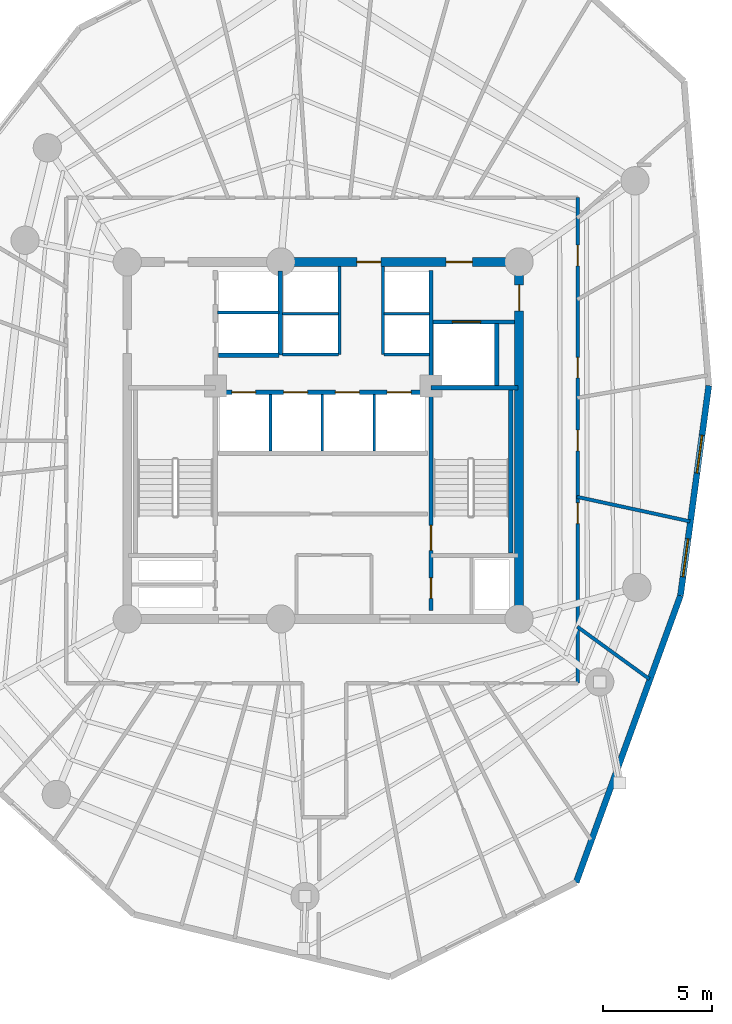
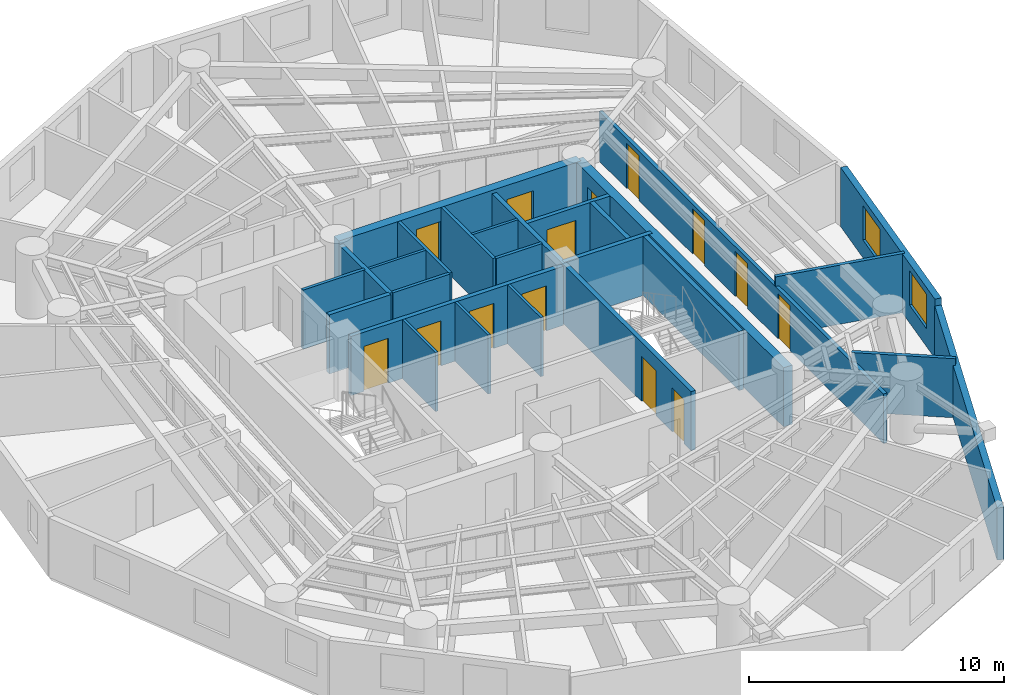
# One storey, part 5 of 8: 25 walls, 14 doors, 2 windows, 16 openings.
"""IFC4 building model written with IfcOpenShell, lengths in metres."""

from ifc_helpers import new_model, si_unit, direction, frame, frame_2d, origin, origin_with_axes, place, context, subcontext, project, spatial, rectangle, extrude, source, transform, mapped, material, layer, layer_set, type_object, element, fill, save


model = new_model("IFC4")

# Units and contexts
model_context = context("Model", 3, precision=1e-05, world=origin(), true_north=direction((0.0, 1.0)))
body_context = subcontext(model_context, "Body", "Model", "MODEL_VIEW")
ifc_project = project(units=[si_unit("LENGTHUNIT", "METRE"), si_unit("AREAUNIT", "SQUARE_METRE"), si_unit("VOLUMEUNIT", "CUBIC_METRE"), si_unit("PLANEANGLEUNIT", "RADIAN"), si_unit("MASSUNIT", "GRAM", prefix="KILO")], contexts=[model_context])

# Site, building, storey
site_placement = place(None, origin())
site = spatial("IfcSite", under=ifc_project, at=site_placement, CompositionType="ELEMENT")
building_placement = place(site_placement, origin())
building = spatial("IfcBuilding", under=site, at=building_placement, Name="Karkom Vertical University and Central Library", CompositionType="ELEMENT")
storey_placement = place(building_placement, frame((0.0, 0.0, 168.75)))
storey = spatial("IfcBuildingStorey", under=building, at=storey_placement, Name="L48", CompositionType="ELEMENT", Elevation=168.75)

# Wall
ifc_material_1 = material(Name="Brick-faced precast concrete C45/55", Category="masonry")
ifc_layer_1 = layer(ifc_material_1, 0.280029296875)
ifc_layer_set_1 = layer_set([ifc_layer_1], Name="Brick-faced precast concrete C45/55")
wall_type_1 = type_object("IfcWallType", Name="ENV-WL-BRK-280", PredefinedType="SOLIDWALL", material=ifc_layer_set_1)
wall_1_placement = place(storey_placement, frame((40.12158203125, 6.19677734375, 0.0), z_axis=(0.0, 0.0, 1.0), x_axis=(0.341766826374, 0.939784781953, 0.0)))
element("IfcWall", 1, at=wall_1_placement, inside=storey, type_object=wall_type_1, Name="Level 48 Brick-Faced Precast Facade Wall 06", PredefinedType="SOLIDWALL", context=body_context, shape_type="SweptSolid", body=[
    extrude(rectangle(XDim=14.0234375, YDim=0.280029296875, at=frame_2d((7.01171875, 0.0))), origin(), (0.0, 0.0, 1.0), 2.4951171875),
])

# Wall, openings, windows
wall_2_placement = place(storey_placement, frame((44.914306640625, 19.375732421875, 0.0), z_axis=(0.0, 0.0, 1.0), x_axis=(0.133638943634, 0.9910300867, 0.0)))
wall_2 = element("IfcWall", 2, at=wall_2_placement, inside=storey, type_object=wall_type_1, Name="Level 48 Brick-Faced Precast Facade Wall 07", PredefinedType="SOLIDWALL", context=body_context, shape_type="SweptSolid", body=[
    extrude(rectangle(XDim=9.733642578125, YDim=0.280029296875, at=frame_2d((4.86669921875, 0.0))), origin(), (0.0, 0.0, 1.0), 2.824951171875),
])
opening_1_placement = place(wall_2_placement, frame((0.873779296875, 0.0, 0.85009765625)))
opening_1 = element("IfcOpeningElement", 3, at=opening_1_placement, cuts=wall_2, Name="Opening WN-08", PredefinedType="OPENING", context=body_context, shape_type="SweptSolid", body=[
    extrude(rectangle(XDim=1.75, YDim=1.64990234375, at=frame_2d((0.875, 0.824951171875))), frame((0.0, 0.14990234375, 0.0), z_axis=(0.0, -1.0, 0.0), x_axis=(1.0, 0.0, 0.0)), (0.0, 0.0, 1.0), 0.300048828125),
])
opening_2_placement = place(wall_2_placement, frame((5.680419921875, 0.0, 0.85009765625)))
opening_2 = element("IfcOpeningElement", 4, at=opening_2_placement, cuts=wall_2, Name="Opening WN-08", PredefinedType="OPENING", context=body_context, shape_type="SweptSolid", body=[
    extrude(rectangle(XDim=1.75, YDim=1.64990234375, at=frame_2d((0.875, 0.824951171875))), frame((0.0, 0.14990234375, 0.0), z_axis=(0.0, -1.0, 0.0), x_axis=(1.0, 0.0, 0.0)), (0.0, 0.0, 1.0), 0.300048828125),
])
ifc_material_2 = material(Name="Aluminium thermal-break frame with solar-control IGU", Category="aluminium")
window_type = type_object("IfcWindowType", Name="ENV-WIN-WN-08", PartitioningType="SINGLE_PANEL", PredefinedType="WINDOW", material=ifc_material_2)
shared_shape_1 = source(origin_with_axes(), body_context, "Body", "SweptSolid", [
    extrude(rectangle(XDim=1.75, YDim=1.64990234375, at=frame_2d((0.875, 0.824951171875))), frame((0.0, 0.030029296875, 0.0), z_axis=(0.0, -1.0, 0.0), x_axis=(1.0, 0.0, 0.0)), (0.0, 0.0, 1.0), 0.06005859375),
])
window_1_placement = place(opening_1_placement, origin())
window_1 = element("IfcWindow", 5, at=window_1_placement, inside=storey, type_object=window_type, Name="Level 48 Punched Window 7.1", OverallHeight=1.64990234375, OverallWidth=1.75, PartitioningType="SINGLE_PANEL", PredefinedType="WINDOW", context=body_context, shape_type="MappedRepresentation", body=[
    mapped(shared_shape_1, transform((0.0, 0.0, 0.0), scale=1.0)),
])
fill(opening_1, window_1)
window_2_placement = place(opening_2_placement, origin())
window_2 = element("IfcWindow", 6, at=window_2_placement, inside=storey, type_object=window_type, Name="Level 48 Punched Window 7.2", OverallHeight=1.64990234375, OverallWidth=1.75, PartitioningType="SINGLE_PANEL", PredefinedType="WINDOW", context=body_context, shape_type="MappedRepresentation", body=[
    mapped(shared_shape_1, transform((0.0, 0.0, 0.0), scale=1.0)),
])
fill(opening_2, window_2)

# Wall, openings, doors
ifc_material_3 = material(Name="Insulated metal-stud drywall 160mm", Category="gypsum")
ifc_layer_2 = layer(ifc_material_3, 0.159912109375)
ifc_layer_set_2 = layer_set([ifc_layer_2], Name="Insulated metal-stud drywall 160mm")
wall_type_2 = type_object("IfcWallType", Name="INT-WL-COR-160", PredefinedType="PARTITIONING", material=ifc_layer_set_2)
wall_3_placement = place(storey_placement, frame((40.199951171875, 37.64990234375, 0.0), z_axis=(0.0, 0.0, 1.0), x_axis=(0.0, -1.0, 0.0)))
wall_3 = element("IfcWall", 7, at=wall_3_placement, inside=storey, type_object=wall_type_2, Name="Level 48 Interior Partition Wall L48-CORW-CW-004", PredefinedType="PARTITIONING", context=body_context, shape_type="SweptSolid", body=[
    extrude(rectangle(XDim=22.2998046875, YDim=0.159912109375, at=frame_2d((11.14990234375, 0.0))), origin(), (0.0, 0.0, 1.0), 2.375),
])
opening_3_placement = place(wall_3_placement, frame((14.02001953125, 0.0, 0.0)))
opening_3 = element("IfcOpeningElement", 8, at=opening_3_placement, cuts=wall_3, Name="Opening D-RM1", PredefinedType="OPENING", context=body_context, shape_type="SweptSolid", body=[
    extrude(rectangle(XDim=0.949951171875, YDim=2.14990234375, at=frame_2d((0.47509765625, 1.074951171875))), frame((0.0, 0.08984375, 0.0), z_axis=(0.0, -1.0, 0.0), x_axis=(1.0, 0.0, 0.0)), (0.0, 0.0, 1.0), 0.179931640625),
])
opening_4_placement = place(wall_3_placement, frame((10.675048828125, 0.0, 0.0)))
opening_4 = element("IfcOpeningElement", 9, at=opening_4_placement, cuts=wall_3, Name="Opening D-RM1", PredefinedType="OPENING", context=body_context, shape_type="SweptSolid", body=[
    extrude(rectangle(XDim=0.949951171875, YDim=2.14990234375, at=frame_2d((0.47509765625, 1.074951171875))), frame((0.0, 0.08984375, 0.0), z_axis=(0.0, -1.0, 0.0), x_axis=(1.0, 0.0, 0.0)), (0.0, 0.0, 1.0), 0.179931640625),
])
opening_5_placement = place(wall_3_placement, frame((7.330078125, 0.0, 0.0)))
opening_5 = element("IfcOpeningElement", 10, at=opening_5_placement, cuts=wall_3, Name="Opening D-RM1", PredefinedType="OPENING", context=body_context, shape_type="SweptSolid", body=[
    extrude(rectangle(XDim=0.949951171875, YDim=2.14990234375, at=frame_2d((0.47509765625, 1.074951171875))), frame((0.0, 0.08984375, 0.0), z_axis=(0.0, -1.0, 0.0), x_axis=(1.0, 0.0, 0.0)), (0.0, 0.0, 1.0), 0.179931640625),
])
opening_6_placement = place(wall_3_placement, frame((2.181396484375, 0.0, 0.0)))
opening_6 = element("IfcOpeningElement", 11, at=opening_6_placement, cuts=wall_3, Name="Opening D-RM1", PredefinedType="OPENING", context=body_context, shape_type="SweptSolid", body=[
    extrude(rectangle(XDim=0.949951171875, YDim=2.14990234375, at=frame_2d((0.47509765625, 1.074951171875))), frame((0.0, 0.08984375, 0.0), z_axis=(0.0, -1.0, 0.0), x_axis=(1.0, 0.0, 0.0)), (0.0, 0.0, 1.0), 0.179931640625),
])
ifc_material_4 = material(Name="Solid-core oak veneer door", Category="wood")
door_type_1 = type_object("IfcDoorType", Name="INT-DR-RM1", OperationType="NOTDEFINED", PredefinedType="DOOR", material=ifc_material_4)
shared_shape_2 = source(origin_with_axes(), body_context, "Body", "SweptSolid", [
    extrude(rectangle(XDim=0.949951171875, YDim=2.14990234375, at=frame_2d((0.47509765625, 1.074951171875))), frame((0.0, 0.02490234375, 0.0), z_axis=(0.0, -1.0, 0.0), x_axis=(1.0, 0.0, 0.0)), (0.0, 0.0, 1.0), 0.050048828125),
])
door_1_placement = place(opening_3_placement, origin())
door_1 = element("IfcDoor", 12, at=door_1_placement, inside=storey, type_object=door_type_1, Name="Level 48 Room Entry Door 130", OperationType="SINGLE_SWING_LEFT", OverallHeight=2.14990234375, OverallWidth=0.949951171875, PredefinedType="DOOR", context=body_context, shape_type="MappedRepresentation", body=[
    mapped(shared_shape_2, transform((0.0, 0.0, 0.0), scale=1.0)),
])
fill(opening_3, door_1)
door_2_placement = place(opening_4_placement, origin())
door_2 = element("IfcDoor", 13, at=door_2_placement, inside=storey, type_object=door_type_1, Name="Level 48 Room Entry Door 140", OperationType="SINGLE_SWING_RIGHT", OverallHeight=2.14990234375, OverallWidth=0.949951171875, PredefinedType="DOOR", context=body_context, shape_type="MappedRepresentation", body=[
    mapped(shared_shape_2, transform((0.0, 0.0, 0.0), scale=1.0)),
])
fill(opening_4, door_2)
door_3_placement = place(opening_5_placement, origin())
door_3 = element("IfcDoor", 14, at=door_3_placement, inside=storey, type_object=door_type_1, Name="Level 48 Room Entry Door 150", OperationType="SINGLE_SWING_LEFT", OverallHeight=2.14990234375, OverallWidth=0.949951171875, PredefinedType="DOOR", context=body_context, shape_type="MappedRepresentation", body=[
    mapped(shared_shape_2, transform((0.0, 0.0, 0.0), scale=1.0)),
])
fill(opening_5, door_3)
door_4_placement = place(opening_6_placement, origin())
door_4 = element("IfcDoor", 15, at=door_4_placement, inside=storey, type_object=door_type_1, Name="Level 48 Room Entry Door 160", OperationType="SINGLE_SWING_RIGHT", OverallHeight=2.14990234375, OverallWidth=0.949951171875, PredefinedType="DOOR", context=body_context, shape_type="MappedRepresentation", body=[
    mapped(shared_shape_2, transform((0.0, 0.0, 0.0), scale=1.0)),
])
fill(opening_6, door_4)

# Walls
wall_4_placement = place(storey_placement, frame((40.156005859375, 23.909423828125, 0.0), z_axis=(0.0, 0.0, 1.0), x_axis=(0.977257161184, -0.212057635832, 0.0)))
element("IfcWall", 16, at=wall_4_placement, inside=storey, type_object=wall_type_2, Name="Level 48 Interior Partition Wall L48-PW-016", PredefinedType="PARTITIONING", context=body_context, shape_type="SweptSolid", body=[
    extrude(rectangle(XDim=5.313232421875, YDim=0.159912109375, at=frame_2d((2.65673828125, 0.0))), origin(), (0.0, 0.0, 1.0), 2.824951171875),
])
wall_5_placement = place(storey_placement, frame((40.17578125, 17.94287109375, 0.0), z_axis=(0.0, 0.0, 1.0), x_axis=(0.809001558412, -0.587806497486, 0.0)))
element("IfcWall", 17, at=wall_5_placement, inside=storey, type_object=wall_type_2, Name="Level 48 Interior Partition Wall L48-PW-015", PredefinedType="PARTITIONING", context=body_context, shape_type="SweptSolid", body=[
    extrude(rectangle(XDim=4.094970703125, YDim=0.159912109375, at=frame_2d((2.04736328125, 0.0))), origin(), (0.0, 0.0, 1.0), 2.824951171875),
])
ifc_material_5 = material(Name="Moisture-resistant drywall 120mm", Category="gypsum")
ifc_layer_3 = layer(ifc_material_5, 0.1201171875)
ifc_layer_set_3 = layer_set([ifc_layer_3], Name="Moisture-resistant drywall 120mm")
wall_type_3 = type_object("IfcWallType", Name="INT-WL-INT-120H", PredefinedType="PARTITIONING", material=ifc_layer_set_3)
for number, where, z_axis, x_axis, name in (
    (18, (26.080078125, 26.02001953125, 0.0), (0.0, 0.0, 1.0), (0.0, 1.0, 0.0), "Level 48 Interior Partition Wall L48-CW-PM-DIV1"),
    (19, (28.4599609375, 26.02001953125, 0.0), (0.0, 0.0, 1.0), (0.0, 1.0, 0.0), "Level 48 Interior Partition Wall L48-CW-PM-DIV2"),
    (20, (30.840087890625, 26.02001953125, 0.0), (0.0, 0.0, 1.0), (0.0, 1.0, 0.0), "Level 48 Interior Partition Wall L48-CW-PM-DIV3"),
):
    element("IfcWall", number, at=place(storey_placement, frame(where, z_axis=z_axis, x_axis=x_axis)), inside=storey, type_object=wall_type_3, Name=name, PredefinedType="PARTITIONING", context=body_context, shape_type="SweptSolid", body=[
        extrude(rectangle(XDim=2.60009765625, YDim=0.1201171875, at=frame_2d((1.300048828125, 0.0))), origin(), (0.0, 0.0, 1.0), 2.824951171875),
    ])
wall_6_placement = place(storey_placement, frame((26.6201171875, 32.320068359375, 0.0), z_axis=(0.0, 0.0, 1.0), x_axis=(1.0, 0.0, 0.0)))
element("IfcWall", 21, at=wall_6_placement, inside=storey, type_object=wall_type_3, Name="Level 48 Interior Partition Wall L48-CW-PH-MW", PredefinedType="PARTITIONING", context=body_context, shape_type="SweptSolid", body=[
    extrude(rectangle(XDim=2.579833984375, YDim=0.1201171875, at=frame_2d((1.2900390625, 0.0))), origin(), (0.0, 0.0, 1.0), 2.824951171875),
])
wall_7_placement = place(storey_placement, frame((31.300048828125, 32.320068359375, 0.0), z_axis=(0.0, 0.0, 1.0), x_axis=(1.0, 0.0, 0.0)))
element("IfcWall", 22, at=wall_7_placement, inside=storey, type_object=wall_type_3, Name="Level 48 Interior Partition Wall L48-CW-PH-ME", PredefinedType="PARTITIONING", context=body_context, shape_type="SweptSolid", body=[
    extrude(rectangle(XDim=2.074951171875, YDim=0.1201171875, at=frame_2d((1.03759765625, 0.0))), origin(), (0.0, 0.0, 1.0), 2.824951171875),
])
ifc_material_6 = material(Name="Metal-stud gypsum partition 140mm", Category="gypsum")
ifc_layer_4 = layer(ifc_material_6, 0.139892578125)
ifc_layer_set_4 = layer_set([ifc_layer_4], Name="Metal-stud gypsum partition 140mm")
wall_type_4 = type_object("IfcWallType", Name="INT-WL-SUB-140H", PredefinedType="PARTITIONING", material=ifc_layer_set_4)
for number, where, z_axis, x_axis, name in (
    (23, (29.260009765625, 30.449951171875, 0.0), (0.0, 0.0, 1.0), (0.0, 1.0, 0.0), "Level 48 Interior Partition Wall L48-CW-PH-W"),
    (24, (31.239990234375, 30.449951171875, 0.0), (0.0, 0.0, 1.0), (0.0, 1.0, 0.0), "Level 48 Interior Partition Wall L48-CW-PH-E"),
):
    element("IfcWall", number, at=place(storey_placement, frame(where, z_axis=z_axis, x_axis=x_axis)), inside=storey, type_object=wall_type_4, Name=name, PredefinedType="PARTITIONING", context=body_context, shape_type="SweptSolid", body=[
        extrude(rectangle(XDim=4.04296875, YDim=0.139892578125, at=frame_2d((2.021484375, 0.0))), origin(), (0.0, 0.0, 1.0), 2.824951171875),
    ])
wall_8_placement = place(storey_placement, frame((26.6201171875, 30.449951171875, 0.0), z_axis=(0.0, 0.0, 1.0), x_axis=(1.0, 0.0, 0.0)))
element("IfcWall", 25, at=wall_8_placement, inside=storey, type_object=wall_type_4, Name="Level 48 Interior Partition Wall L48-CW-PH-S1", PredefinedType="PARTITIONING", context=body_context, shape_type="SweptSolid", body=[
    extrude(rectangle(XDim=2.579833984375, YDim=0.139892578125, at=frame_2d((1.2900390625, 0.0))), origin(), (0.0, 0.0, 1.0), 2.824951171875),
])
wall_9_placement = place(storey_placement, frame((31.300048828125, 30.449951171875, 0.0), z_axis=(0.0, 0.0, 1.0), x_axis=(1.0, 0.0, 0.0)))
element("IfcWall", 26, at=wall_9_placement, inside=storey, type_object=wall_type_4, Name="Level 48 Interior Partition Wall L48-CW-PH-S2", PredefinedType="PARTITIONING", context=body_context, shape_type="SweptSolid", body=[
    extrude(rectangle(XDim=2.074951171875, YDim=0.139892578125, at=frame_2d((1.03759765625, 0.0))), origin(), (0.0, 0.0, 1.0), 2.824951171875),
])
ifc_layer_5 = layer(ifc_material_6, 0.139892578125)
ifc_layer_set_5 = layer_set([ifc_layer_5], Name="Metal-stud gypsum partition 140mm")
wall_type_5 = type_object("IfcWallType", Name="INT-WL-SUB-140X", PredefinedType="PARTITIONING", material=ifc_layer_set_5)
wall_10_placement = place(storey_placement, frame((23.652099609375, 32.3701171875, 0.0), z_axis=(0.0, 0.0, 1.0), x_axis=(1.0, 0.0, 0.0)))
element("IfcWall", 27, at=wall_10_placement, inside=storey, type_object=wall_type_5, Name="Level 48 Interior Partition Wall L48-CW-FFL-M", PredefinedType="PARTITIONING", context=body_context, shape_type="SweptSolid", body=[
    extrude(rectangle(XDim=2.827880859375, YDim=0.139892578125, at=frame_2d((1.4140625, 0.0))), origin(), (0.0, 0.0, 1.0), 2.824951171875),
])

# Wall, opening, door
ifc_material_7 = material(Name="Twin-stud acoustic drywall 180mm", Category="gypsum")
ifc_layer_6 = layer(ifc_material_7, 0.179931640625)
ifc_layer_set_6 = layer_set([ifc_layer_6], Name="Twin-stud acoustic drywall 180mm")
wall_type_6 = type_object("IfcWallType", Name="INT-WL-TEN-180F", PredefinedType="PARTITIONING", material=ifc_layer_set_6)
wall_11_placement = place(storey_placement, frame((33.534912109375, 31.949951171875, 0.0), z_axis=(0.0, 0.0, 1.0), x_axis=(1.0, 0.0, 0.0)))
wall_11 = element("IfcWall", 28, at=wall_11_placement, inside=storey, type_object=wall_type_6, Name="Level 48 Interior Partition Wall L48-CW-SVL-N", PredefinedType="PARTITIONING", context=body_context, shape_type="SweptSolid", body=[
    extrude(rectangle(XDim=3.7587890625, YDim=0.179931640625, at=frame_2d((1.87939453125, 0.0))), origin(), (0.0, 0.0, 1.0), 2.824951171875),
])
opening_7_placement = place(wall_11_placement, frame((0.89990234375, 0.0, 0.0)))
opening_7 = element("IfcOpeningElement", 29, at=opening_7_placement, cuts=wall_11, Name="Opening LD-SV1", PredefinedType="OPENING", context=body_context, shape_type="SweptSolid", body=[
    extrude(rectangle(XDim=1.300048828125, YDim=2.199951171875, at=frame_2d((0.64990234375, 1.10009765625))), frame((0.0, 0.10009765625, 0.0), z_axis=(0.0, -1.0, 0.0), x_axis=(1.0, 0.0, 0.0)), (0.0, 0.0, 1.0), 0.199951171875),
])
ifc_material_8 = material(Name="Brushed stainless-steel landing door", Category="steel")
door_type_2 = type_object("IfcDoorType", Name="INT-DR-LD-SV1", OperationType="SLIDING_TO_LEFT", PredefinedType="DOOR", material=ifc_material_8)
shared_shape_3 = source(origin_with_axes(), body_context, "Body", "SweptSolid", [
    extrude(rectangle(XDim=1.300048828125, YDim=2.199951171875, at=frame_2d((0.64990234375, 1.10009765625))), frame((0.0, 0.02490234375, 0.0), z_axis=(0.0, -1.0, 0.0), x_axis=(1.0, 0.0, 0.0)), (0.0, 0.0, 1.0), 0.050048828125),
])
door_5_placement = place(opening_7_placement, origin())
door_5 = element("IfcDoor", 30, at=door_5_placement, inside=storey, type_object=door_type_2, Name="Level 48 Service Lift Landing Door LD-SV1", OperationType="SLIDING_TO_LEFT", OverallHeight=2.199951171875, OverallWidth=1.300048828125, PredefinedType="DOOR", context=body_context, shape_type="MappedRepresentation", body=[
    mapped(shared_shape_3, transform((0.0, 0.0, 0.0), scale=1.0)),
])
fill(opening_7, door_5)

ifc_material_9 = material(Name="Concrete C50/60", Category="concrete")
ifc_layer_7 = layer(ifc_material_9, 0.39990234375)
ifc_layer_set_7 = layer_set([ifc_layer_7], Name="Concrete C50/60")
wall_type_7 = type_object("IfcWallType", Name="STR-WL-CW-400", PredefinedType="SHEAR", material=ifc_layer_set_7)
wall_12_placement = place(storey_placement, frame((37.5, 18.300048828125, 0.0), z_axis=(0.0, 0.0, 1.0), x_axis=(0.0, 1.0, 0.0)))
wall_12 = element("IfcWall", 31, at=wall_12_placement, inside=storey, type_object=wall_type_7, Name="Level 48 Central Core Shear Wall EW", PredefinedType="SHEAR", context=body_context, shape_type="SweptSolid", body=[
    extrude(rectangle(XDim=16.39990234375, YDim=0.39990234375, at=frame_2d((8.199951171875, 0.0))), origin(), (0.0, 0.0, 1.0), 2.824951171875),
])
opening_8_placement = place(wall_12_placement, frame((14.14990234375, 0.0, 0.0)))
opening_8 = element("IfcOpeningElement", 32, at=opening_8_placement, cuts=wall_12, Name="Opening FD-SUB1", PredefinedType="OPENING", context=body_context, shape_type="SweptSolid", body=[
    extrude(rectangle(XDim=1.199951171875, YDim=2.14990234375, at=frame_2d((0.60009765625, 1.074951171875))), frame((0.0, 0.2099609375, 0.0), z_axis=(0.0, -1.0, 0.0), x_axis=(1.0, 0.0, 0.0)), (0.0, 0.0, 1.0), 0.419921875),
])
ifc_material_10 = material(Name="Painted steel fire door", Category="steel")
door_type_3 = type_object("IfcDoorType", Name="INT-DR-SUB1", OperationType="NOTDEFINED", PredefinedType="DOOR", material=ifc_material_10)
shared_shape_4 = source(origin_with_axes(), body_context, "Body", "SweptSolid", [
    extrude(rectangle(XDim=1.199951171875, YDim=2.14990234375, at=frame_2d((0.60009765625, 1.074951171875))), frame((0.0, 0.02490234375, 0.0), z_axis=(0.0, -1.0, 0.0), x_axis=(1.0, 0.0, 0.0)), (0.0, 0.0, 1.0), 0.050048828125),
])
door_6_placement = place(opening_8_placement, origin())
door_6 = element("IfcDoor", 33, at=door_6_placement, inside=storey, type_object=door_type_3, Name="Level 48 East Corridor Service Lobby Door", OperationType="SINGLE_SWING_LEFT", OverallHeight=2.14990234375, OverallWidth=1.199951171875, PredefinedType="DOOR", context=body_context, shape_type="MappedRepresentation", body=[
    mapped(shared_shape_4, transform((0.0, 0.0, 0.0), scale=1.0)),
])
fill(opening_8, door_6)

# Wall, openings, doors
wall_13_placement = place(storey_placement, frame((37.5, 34.699951171875, 0.0), z_axis=(0.0, 0.0, 1.0), x_axis=(-1.0, 0.0, 0.0)))
wall_13 = element("IfcWall", 34, at=wall_13_placement, inside=storey, type_object=wall_type_7, Name="Level 48 Central Core Shear Wall NW1", PredefinedType="SHEAR", context=body_context, shape_type="SweptSolid", body=[
    extrude(rectangle(XDim=10.949951171875, YDim=0.39990234375, at=frame_2d((5.47509765625, 0.0))), origin(), (0.0, 0.0, 1.0), 2.824951171875),
])
opening_9_placement = place(wall_13_placement, frame((2.14990234375, 0.0, 0.0)))
opening_9 = element("IfcOpeningElement", 35, at=opening_9_placement, cuts=wall_13, Name="Opening FD-SUB1", PredefinedType="OPENING", context=body_context, shape_type="SweptSolid", body=[
    extrude(rectangle(XDim=1.199951171875, YDim=2.14990234375, at=frame_2d((0.60009765625, 1.074951171875))), frame((0.0, 0.2099609375, 0.0), z_axis=(0.0, -1.0, 0.0), x_axis=(1.0, 0.0, 0.0)), (0.0, 0.0, 1.0), 0.419921875),
])
opening_10_placement = place(wall_13_placement, frame((6.35009765625, 0.0, 0.0)))
opening_10 = element("IfcOpeningElement", 36, at=opening_10_placement, cuts=wall_13, Name="Opening FD-FFL", PredefinedType="OPENING", context=body_context, shape_type="SweptSolid", body=[
    extrude(rectangle(XDim=1.10009765625, YDim=2.14990234375, at=frame_2d((0.550048828125, 1.074951171875))), frame((0.0, 0.2099609375, 0.0), z_axis=(0.0, -1.0, 0.0), x_axis=(1.0, 0.0, 0.0)), (0.0, 0.0, 1.0), 0.419921875),
])
ifc_material_11 = material(Name="Painted steel smoke-seal fire door", Category="steel")
door_type_4 = type_object("IfcDoorType", Name="INT-DR-FFL", OperationType="NOTDEFINED", PredefinedType="DOOR", material=ifc_material_11)
shared_shape_5 = source(origin_with_axes(), body_context, "Body", "SweptSolid", [
    extrude(rectangle(XDim=1.10009765625, YDim=2.14990234375, at=frame_2d((0.550048828125, 1.074951171875))), frame((0.0, 0.02490234375, 0.0), z_axis=(0.0, -1.0, 0.0), x_axis=(1.0, 0.0, 0.0)), (0.0, 0.0, 1.0), 0.050048828125),
])
door_7_placement = place(opening_10_placement, origin())
door_7 = element("IfcDoor", 37, at=door_7_placement, inside=storey, type_object=door_type_4, Name="Level 48 North Core Lobby Exit Door", OperationType="SINGLE_SWING_RIGHT", OverallHeight=2.14990234375, OverallWidth=1.10009765625, PredefinedType="DOOR", context=body_context, shape_type="MappedRepresentation", body=[
    mapped(shared_shape_5, transform((0.0, 0.0, 0.0), scale=1.0)),
])
fill(opening_10, door_7)
door_8_placement = place(opening_9_placement, origin())
door_8 = element("IfcDoor", 38, at=door_8_placement, inside=storey, type_object=door_type_3, Name="Level 48 Service Lobby Fire Door", OperationType="SINGLE_SWING_RIGHT", OverallHeight=2.14990234375, OverallWidth=1.199951171875, PredefinedType="DOOR", context=body_context, shape_type="MappedRepresentation", body=[
    mapped(shared_shape_4, transform((0.0, 0.0, 0.0), scale=1.0)),
])
fill(opening_9, door_8)

ifc_material_12 = material(Name="Concrete C45/55", Category="concrete")
ifc_layer_8 = layer(ifc_material_12, 0.199951171875)
ifc_layer_set_8 = layer_set([ifc_layer_8], Name="Concrete C45/55")
wall_type_8 = type_object("IfcWallType", Name="STR-WL-ST-200", PredefinedType="SHEAR", material=ifc_layer_set_8)
wall_14_placement = place(storey_placement, frame((33.455078125, 18.699951171875, 0.0), z_axis=(0.0, 0.0, 1.0), x_axis=(0.0, 1.0, 0.0)))
wall_14 = element("IfcWall", 39, at=wall_14_placement, inside=storey, type_object=wall_type_8, Name="Level 48 Core Shaft Wall L48-CW-ST2-W", PredefinedType="SHEAR", context=body_context, shape_type="SweptSolid", body=[
    extrude(rectangle(XDim=15.60009765625, YDim=0.199951171875, at=frame_2d((7.800048828125, 0.0))), origin(), (0.0, 0.0, 1.0), 2.824951171875),
])
opening_11_placement = place(wall_14_placement, frame((2.75, 0.0, 0.0)))
opening_11 = element("IfcOpeningElement", 40, at=opening_11_placement, cuts=wall_14, Name="Opening FD-ST1", PredefinedType="OPENING", context=body_context, shape_type="SweptSolid", body=[
    extrude(rectangle(XDim=1.14990234375, YDim=2.14990234375, at=frame_2d((0.574951171875, 1.074951171875))), frame((0.0, 0.10986328125, 0.0), z_axis=(0.0, -1.0, 0.0), x_axis=(1.0, 0.0, 0.0)), (0.0, 0.0, 1.0), 0.219970703125),
])
opening_12_placement = place(wall_14_placement, frame((0.550048828125, 0.0, 0.0)))
opening_12 = element("IfcOpeningElement", 41, at=opening_12_placement, cuts=wall_14, Name="Opening D-WC1", PredefinedType="OPENING", context=body_context, shape_type="SweptSolid", body=[
    extrude(rectangle(XDim=0.93994140625, YDim=2.10009765625, at=frame_2d((0.469970703125, 1.050048828125))), frame((0.0, 0.10986328125, 0.0), z_axis=(0.0, -1.0, 0.0), x_axis=(1.0, 0.0, 0.0)), (0.0, 0.0, 1.0), 0.219970703125),
])
ifc_material_13 = material(Name="Painted steel acoustic fire door", Category="steel")
door_type_5 = type_object("IfcDoorType", Name="INT-DR-ST1", OperationType="NOTDEFINED", PredefinedType="DOOR", material=ifc_material_13)
shared_shape_6 = source(origin_with_axes(), body_context, "Body", "SweptSolid", [
    extrude(rectangle(XDim=1.14990234375, YDim=2.14990234375, at=frame_2d((0.574951171875, 1.074951171875))), frame((0.0, 0.02490234375, 0.0), z_axis=(0.0, -1.0, 0.0), x_axis=(1.0, 0.0, 0.0)), (0.0, 0.0, 1.0), 0.050048828125),
])
door_9_placement = place(opening_11_placement, origin())
door_9 = element("IfcDoor", 42, at=door_9_placement, inside=storey, type_object=door_type_5, Name="Level 48 Stair ST-2 Fire Door", OperationType="SINGLE_SWING_RIGHT", OverallHeight=2.14990234375, OverallWidth=1.14990234375, PredefinedType="DOOR", context=body_context, shape_type="MappedRepresentation", body=[
    mapped(shared_shape_6, transform((0.0, 0.0, 0.0), scale=1.0)),
])
fill(opening_11, door_9)
ifc_material_14 = material(Name="Fire-rated laminate moisture-resistant door", Category="wood")
door_type_6 = type_object("IfcDoorType", Name="INT-DR-WC1", OperationType="NOTDEFINED", PredefinedType="DOOR", material=ifc_material_14)
shared_shape_7 = source(origin_with_axes(), body_context, "Body", "SweptSolid", [
    extrude(rectangle(XDim=0.93994140625, YDim=2.10009765625, at=frame_2d((0.469970703125, 1.050048828125))), frame((0.0, 0.02490234375, 0.0), z_axis=(0.0, -1.0, 0.0), x_axis=(1.0, 0.0, 0.0)), (0.0, 0.0, 1.0), 0.050048828125),
])
door_10_placement = place(opening_12_placement, origin())
door_10 = element("IfcDoor", 43, at=door_10_placement, inside=storey, type_object=door_type_6, Name="Level 48 Accessible WC Door", OperationType="SINGLE_SWING_LEFT", OverallHeight=2.10009765625, OverallWidth=0.93994140625, PredefinedType="DOOR", context=body_context, shape_type="MappedRepresentation", body=[
    mapped(shared_shape_7, transform((0.0, 0.0, 0.0), scale=1.0)),
])
fill(opening_12, door_10)

wall_15_placement = place(storey_placement, frame((23.699951171875, 28.719970703125, 0.0), z_axis=(0.0, 0.0, 1.0), x_axis=(1.0, 0.0, 0.0)))
wall_15 = element("IfcWall", 44, at=wall_15_placement, inside=storey, type_object=wall_type_8, Name="Level 48 Core Shaft Wall L48-CW-B2-N", PredefinedType="SHEAR", context=body_context, shape_type="SweptSolid", body=[
    extrude(rectangle(XDim=9.60009765625, YDim=0.199951171875, at=frame_2d((4.800048828125, 0.0))), origin(), (0.0, 0.0, 1.0), 2.824951171875),
])
opening_13_placement = place(wall_15_placement, frame((0.60009765625, 0.0, 0.0)))
opening_13 = element("IfcOpeningElement", 45, at=opening_13_placement, cuts=wall_15, Name="Opening LD-PAX", PredefinedType="OPENING", context=body_context, shape_type="SweptSolid", body=[
    extrude(rectangle(XDim=1.10009765625, YDim=2.14990234375, at=frame_2d((0.550048828125, 1.074951171875))), frame((0.0, 0.10986328125, 0.0), z_axis=(0.0, -1.0, 0.0), x_axis=(1.0, 0.0, 0.0)), (0.0, 0.0, 1.0), 0.219970703125),
])
opening_14_placement = place(wall_15_placement, frame((2.97998046875, 0.0, 0.0)))
opening_14 = element("IfcOpeningElement", 46, at=opening_14_placement, cuts=wall_15, Name="Opening LD-PAX", PredefinedType="OPENING", context=body_context, shape_type="SweptSolid", body=[
    extrude(rectangle(XDim=1.10009765625, YDim=2.14990234375, at=frame_2d((0.550048828125, 1.074951171875))), frame((0.0, 0.10986328125, 0.0), z_axis=(0.0, -1.0, 0.0), x_axis=(1.0, 0.0, 0.0)), (0.0, 0.0, 1.0), 0.219970703125),
])
opening_15_placement = place(wall_15_placement, frame((5.360107421875, 0.0, 0.0)))
opening_15 = element("IfcOpeningElement", 47, at=opening_15_placement, cuts=wall_15, Name="Opening LD-PAX", PredefinedType="OPENING", context=body_context, shape_type="SweptSolid", body=[
    extrude(rectangle(XDim=1.10009765625, YDim=2.14990234375, at=frame_2d((0.550048828125, 1.074951171875))), frame((0.0, 0.10986328125, 0.0), z_axis=(0.0, -1.0, 0.0), x_axis=(1.0, 0.0, 0.0)), (0.0, 0.0, 1.0), 0.219970703125),
])
opening_16_placement = place(wall_15_placement, frame((7.739990234375, 0.0, 0.0)))
opening_16 = element("IfcOpeningElement", 48, at=opening_16_placement, cuts=wall_15, Name="Opening LD-PAX", PredefinedType="OPENING", context=body_context, shape_type="SweptSolid", body=[
    extrude(rectangle(XDim=1.10009765625, YDim=2.14990234375, at=frame_2d((0.550048828125, 1.074951171875))), frame((0.0, 0.10986328125, 0.0), z_axis=(0.0, -1.0, 0.0), x_axis=(1.0, 0.0, 0.0)), (0.0, 0.0, 1.0), 0.219970703125),
])
door_type_7 = type_object("IfcDoorType", Name="INT-DR-LD-PAX", OperationType="SLIDING_TO_LEFT", PredefinedType="DOOR", material=ifc_material_8)
door_11_placement = place(opening_13_placement, origin())
door_11 = element("IfcDoor", 49, at=door_11_placement, inside=storey, type_object=door_type_7, Name="Level 48 Lift PM-1 Landing Door", OperationType="SLIDING_TO_LEFT", OverallHeight=2.14990234375, OverallWidth=1.10009765625, PredefinedType="DOOR", context=body_context, shape_type="MappedRepresentation", body=[
    mapped(shared_shape_5, transform((0.0, 0.0, 0.0), scale=1.0)),
])
fill(opening_13, door_11)
door_12_placement = place(opening_14_placement, origin())
door_12 = element("IfcDoor", 50, at=door_12_placement, inside=storey, type_object=door_type_7, Name="Level 48 Lift PM-2 Landing Door", OperationType="SLIDING_TO_RIGHT", OverallHeight=2.14990234375, OverallWidth=1.10009765625, PredefinedType="DOOR", context=body_context, shape_type="MappedRepresentation", body=[
    mapped(shared_shape_5, transform((0.0, 0.0, 0.0), scale=1.0)),
])
fill(opening_14, door_12)
door_13_placement = place(opening_15_placement, origin())
door_13 = element("IfcDoor", 51, at=door_13_placement, inside=storey, type_object=door_type_7, Name="Level 48 Lift PM-3 Landing Door", OperationType="SLIDING_TO_LEFT", OverallHeight=2.14990234375, OverallWidth=1.10009765625, PredefinedType="DOOR", context=body_context, shape_type="MappedRepresentation", body=[
    mapped(shared_shape_5, transform((0.0, 0.0, 0.0), scale=1.0)),
])
fill(opening_15, door_13)
door_14_placement = place(opening_16_placement, origin())
door_14 = element("IfcDoor", 52, at=door_14_placement, inside=storey, type_object=door_type_7, Name="Level 48 Lift PM-4 Landing Door", OperationType="SLIDING_TO_RIGHT", OverallHeight=2.14990234375, OverallWidth=1.10009765625, PredefinedType="DOOR", context=body_context, shape_type="MappedRepresentation", body=[
    mapped(shared_shape_5, transform((0.0, 0.0, 0.0), scale=1.0)),
])
fill(opening_16, door_14)

# Walls
wall_16_placement = place(storey_placement, frame((37.125, 21.320068359375, 0.0), z_axis=(0.0, 0.0, 1.0), x_axis=(0.0, 1.0, 0.0)))
element("IfcWall", 53, at=wall_16_placement, inside=storey, type_object=wall_type_8, Name="Level 48 Core Shaft Wall L48-CW-ST2-E", PredefinedType="SHEAR", context=body_context, shape_type="SweptSolid", body=[
    extrude(rectangle(XDim=7.5, YDim=0.199951171875, at=frame_2d((3.75, 0.0))), origin(), (0.0, 0.0, 1.0), 2.824951171875),
])
wall_17_placement = place(storey_placement, frame((33.455078125, 28.925048828125, 0.0), z_axis=(0.0, 0.0, 1.0), x_axis=(1.0, 0.0, 0.0)))
element("IfcWall", 54, at=wall_17_placement, inside=storey, type_object=wall_type_8, Name="Level 48 Core Shaft Wall L48-CW-ST2-N", PredefinedType="SHEAR", context=body_context, shape_type="SweptSolid", body=[
    extrude(rectangle(XDim=3.994873046875, YDim=0.199951171875, at=frame_2d((1.99755859375, 0.0))), origin(), (0.0, 0.0, 1.0), 2.824951171875),
])
wall_18_placement = place(storey_placement, frame((26.52001953125, 30.419921875, 0.0), z_axis=(0.0, 0.0, 1.0), x_axis=(0.0, 1.0, 0.0)))
element("IfcWall", 55, at=wall_18_placement, inside=storey, type_object=wall_type_8, Name="Level 48 Core Shaft Wall L48-CW-FFL-E", PredefinedType="SHEAR", context=body_context, shape_type="SweptSolid", body=[
    extrude(rectangle(XDim=3.860107421875, YDim=0.199951171875, at=frame_2d((1.93017578125, 0.0))), origin(), (0.0, 0.0, 1.0), 2.824951171875),
])
wall_19_placement = place(storey_placement, frame((36.47998046875, 29.02001953125, 0.0), z_axis=(0.0, 0.0, 1.0), x_axis=(0.0, 1.0, 0.0)))
element("IfcWall", 56, at=wall_19_placement, inside=storey, type_object=wall_type_8, Name="Level 48 Core Shaft Wall L48-CW-SVL-E", PredefinedType="SHEAR", context=body_context, shape_type="SweptSolid", body=[
    extrude(rectangle(XDim=2.85986328125, YDim=0.199951171875, at=frame_2d((1.429931640625, 0.0))), origin(), (0.0, 0.0, 1.0), 2.824951171875),
])
wall_20_placement = place(storey_placement, frame((23.699951171875, 30.419921875, 0.0), z_axis=(0.0, 0.0, 1.0), x_axis=(1.0, 0.0, 0.0)))
element("IfcWall", 57, at=wall_20_placement, inside=storey, type_object=wall_type_8, Name="Level 48 Core Shaft Wall L48-CW-FFL-S", PredefinedType="SHEAR", context=body_context, shape_type="SweptSolid", body=[
    extrude(rectangle(XDim=2.780029296875, YDim=0.199951171875, at=frame_2d((1.39013671875, 0.0))), origin(), (0.0, 0.0, 1.0), 2.824951171875),
])

save(model, "model.ifc")
